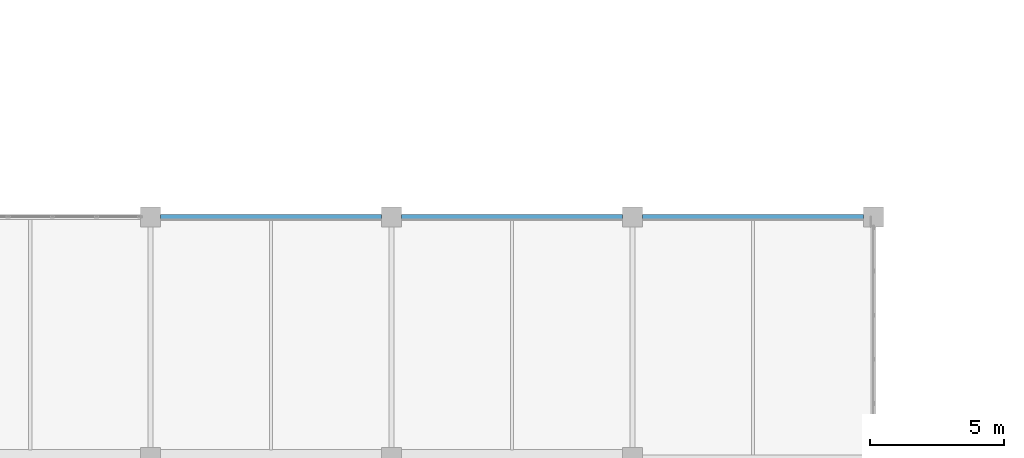
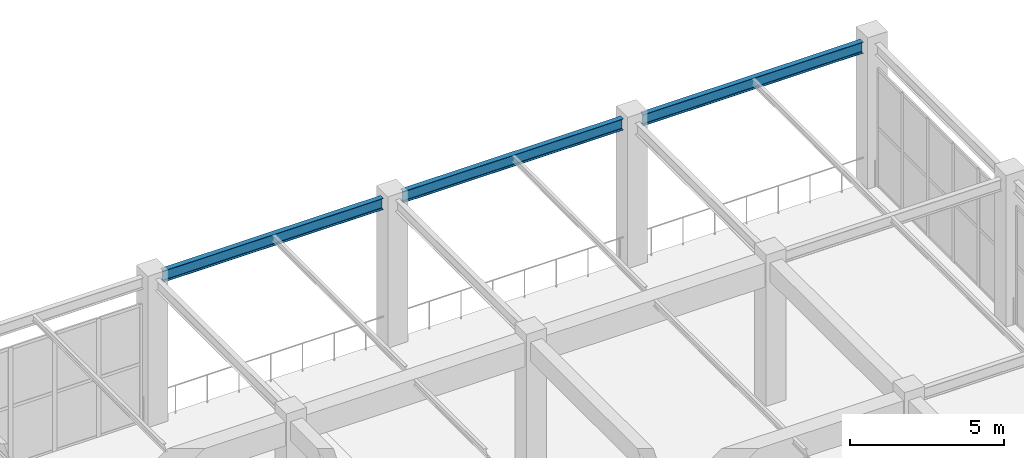
# One storey, part 167 of 223: 3 beams.
"""IFC4 building model written with IfcOpenShell, lengths in metres."""

import ifcopenshell
import ifcopenshell.guid

model = None  # the IFC model being written
_history = None  # IfcOwnerHistory: only IFC2X3 demands one
_inside = {}  # id of a spatial element -> (the spatial element, [elements in it])
_under = {}  # id of a project, library or spatial element -> (it, [spatial elements below it])
_declared = {}  # id of a project -> (the project, [libraries it declares])
_typed = {}  # id of a type object -> (the type object, [elements of that type])
_made_of = {}  # id of a material, layer set ... -> (it, [elements and type objects made of it])


def new_model(schema):
    """Start an empty IFC model of exactly this schema.

    Asked for "IFC4X3", IfcOpenShell would pick the latest addendum, in which some entities
    have other attributes; the version numbers below select the first issue.
    IFC2X3 requires an IfcOwnerHistory on every rooted entity: one is made here for all.
    """
    global model, _history
    if schema == "IFC4X3":
        model = ifcopenshell.file(schema_version=(4, 3, 0, 0))
    else:
        model = ifcopenshell.file(schema=schema)
    _inside.clear()
    _under.clear()
    _declared.clear()
    _typed.clear()
    _made_of.clear()
    _history = None
    if model.schema == "IFC2X3":
        org = make("IfcOrganization", Name="unknown")
        user = make(
            "IfcPersonAndOrganization",
            ThePerson=make("IfcPerson", FamilyName="unknown"),
            TheOrganization=org,
        )
        app = make(
            "IfcApplication",
            ApplicationDeveloper=org,
            Version="unknown",
            ApplicationFullName="unknown",
            ApplicationIdentifier="unknown",
        )
        _history = make(
            "IfcOwnerHistory",
            OwningUser=user,
            OwningApplication=app,
            ChangeAction="ADDED",
            CreationDate=0,
        )
    return model


def make(cls, **values):
    """One entity of the class cls with the attributes given. An attribute that is None is left unset."""
    return model.create_entity(
        cls, **{name: value for name, value in values.items() if value is not None}
    )


def rooted(cls, **values):
    """An entity with a GlobalId (a new one), such as an element, a storey or a relation."""
    return make(cls, GlobalId=ifcopenshell.guid.new(), OwnerHistory=_history, **values)


def si_unit(unit_type, name, prefix=None):
    """IfcSIUnit, for example si_unit("LENGTHUNIT", "METRE", prefix="MILLI")."""
    return make("IfcSIUnit", UnitType=unit_type, Prefix=prefix, Name=name)


def assignment(units):
    """IfcUnitAssignment: the units of a project."""
    return None if units is None else make("IfcUnitAssignment", Units=units)


def point(xyz):
    """IfcCartesianPoint."""
    return None if xyz is None else make("IfcCartesianPoint", Coordinates=xyz)


def direction(xyz):
    """IfcDirection."""
    return None if xyz is None else make("IfcDirection", DirectionRatios=xyz)


def frame(location, z_axis=None, x_axis=None):
    """IfcAxis2Placement3D, a coordinate frame: its origin and axes. An axis left out is left unset."""
    return make(
        "IfcAxis2Placement3D",
        Location=point(location),
        Axis=direction(z_axis),
        RefDirection=direction(x_axis),
    )


def frame_2d(location, x_axis=None):
    """IfcAxis2Placement2D, a coordinate frame in the plane: its origin and x axis."""
    return make(
        "IfcAxis2Placement2D", Location=point(location), RefDirection=direction(x_axis)
    )


def origin():
    """The frame at (0, 0, 0) with its axes left unset."""
    return frame((0.0, 0.0, 0.0))


def origin_2d():
    """The frame at (0, 0) in the plane with its x axis left unset."""
    return frame_2d((0.0, 0.0))


def place(relative_to, where):
    """IfcLocalPlacement: puts the frame where relative to a parent placement (None: the world)."""
    return make(
        "IfcLocalPlacement", PlacementRelTo=relative_to, RelativePlacement=where
    )


def context(
    kind, dimensions, precision=None, world=None, true_north=None, identifier=None
):
    """IfcGeometricRepresentationContext, for example the 3D "Model" context."""
    return make(
        "IfcGeometricRepresentationContext",
        ContextIdentifier=identifier,
        ContextType=kind,
        CoordinateSpaceDimension=dimensions,
        Precision=precision,
        WorldCoordinateSystem=world,
        TrueNorth=true_north,
    )


def subcontext(parent, identifier, kind, view, scale=None):
    """IfcGeometricRepresentationSubContext, for example "Body" below "Model"."""
    return make(
        "IfcGeometricRepresentationSubContext",
        ContextIdentifier=identifier,
        ContextType=kind,
        ParentContext=parent,
        TargetScale=scale,
        TargetView=view,
    )


def project(units=None, contexts=None):
    """IfcProject with its units and contexts."""
    return rooted(
        "IfcProject",
        Name="project",
        RepresentationContexts=contexts,
        UnitsInContext=assignment(units),
    )


def spatial(cls, under=None, at=None, **own):
    """A site, building, storey or space (cls), placed at a placement, below another one or the project."""
    s = rooted(cls, ObjectPlacement=at, **own)
    if under is not None:
        _under.setdefault(under.id(), (under, []))[1].append(s)
    return s


def profile(cls, at=None, kind="AREA", **sizes):
    """A parametric profile (cls). Its sizes go by their IFC names, for example OverallWidth=200.0."""
    return make(cls, ProfileType=kind, Position=at, **sizes)


def i_section(**sizes):
    """IfcIShapeProfileDef."""
    return profile("IfcIShapeProfileDef", **sizes)


def extrude(swept, where, along, depth):
    """IfcExtrudedAreaSolid: the profile swept, set in the frame where, extruded along a direction by depth."""
    return make(
        "IfcExtrudedAreaSolid",
        SweptArea=swept,
        Position=where,
        ExtrudedDirection=direction(along),
        Depth=depth,
    )


def shape(context_of_items, identifier, shape_type, items):
    """IfcShapeRepresentation: the items that make up one representation, for example the "Body"."""
    return make(
        "IfcShapeRepresentation",
        ContextOfItems=context_of_items,
        RepresentationIdentifier=identifier,
        RepresentationType=shape_type,
        Items=items,
    )


def material(Name=None, Category=None):
    """IfcMaterial."""
    return make("IfcMaterial", Name=Name, Category=Category)


def material_profile(
    of_material, cross_section, Name=None, Category=None, Priority=None
):
    """IfcMaterialProfile: a cross section and its material."""
    return make(
        "IfcMaterialProfile",
        Name=Name,
        Material=of_material,
        Profile=cross_section,
        Priority=Priority,
        Category=Category,
    )


def profile_set(profiles, Name=None, composite=None):
    """IfcMaterialProfileSet."""
    return make(
        "IfcMaterialProfileSet",
        Name=Name,
        MaterialProfiles=profiles,
        CompositeProfile=composite,
    )


def made_of(thing, what):
    """Note that an element or type object is made of a material, layer set ...; save() writes the relation."""
    if what is not None:
        _made_of.setdefault(what.id(), (what, []))[1].append(thing)
    return thing


def type_object(cls, material=None, **own):
    """A type object (cls), such as IfcWallType, which elements share."""
    return made_of(rooted(cls, **own), material)


def element(
    cls,
    number,
    at=None,
    inside=None,
    cuts=None,
    type_object=None,
    material=None,
    context=None,
    identifier="Body",
    shape_type=None,
    held_by="IfcProductDefinitionShape",
    body=None,
    shapes=None,
    **own,
):
    """One element of the class cls, such as IfcWall. Its Tag is "e" and its number.

    at: its placement. inside: the storey or other place that contains it. cuts: it is an
    opening in that element (IfcRelVoidsElement). A single representation is given by context,
    identifier, shape_type and body (its items); several are given by shapes. held_by: the class
    of the entity that holds the representations. save() writes the other relations.
    """
    e = rooted(cls, Tag="e%d" % number, ObjectPlacement=at, **own)
    if body is not None:
        shapes = [shape(context, identifier, shape_type, body)]
    if shapes is not None:
        e.Representation = make(held_by, Representations=shapes)
    if inside is not None:
        _inside.setdefault(inside.id(), (inside, []))[1].append(e)
    if cuts is not None:
        rooted(
            "IfcRelVoidsElement", RelatingBuildingElement=cuts, RelatedOpeningElement=e
        )
    if type_object is not None:
        _typed.setdefault(type_object.id(), (type_object, []))[1].append(e)
    return made_of(e, material)


def aggregate(whole, parts):
    """IfcRelAggregates: a whole, such as a stair, and the parts it consists of."""
    return rooted("IfcRelAggregates", RelatingObject=whole, RelatedObjects=parts)


def save(model, path):
    """Write the relations noted so far, then the file.

    IfcRelAggregates (storeys below a building ...), IfcRelContainedInSpatialStructure (elements
    in a storey), IfcRelDefinesByType, IfcRelAssociatesMaterial and IfcRelDeclares: one each for
    every whole, place, type object, material and project.
    """
    for whole, parts in _under.values():
        aggregate(whole, parts)
    for where, things in _inside.values():
        rooted(
            "IfcRelContainedInSpatialStructure",
            RelatedElements=things,
            RelatingStructure=where,
        )
    for kind, things in _typed.values():
        rooted("IfcRelDefinesByType", RelatedObjects=things, RelatingType=kind)
    for what, things in _made_of.values():
        rooted("IfcRelAssociatesMaterial", RelatedObjects=things, RelatingMaterial=what)
    for by, libraries in _declared.values():
        rooted("IfcRelDeclares", RelatingContext=by, RelatedDefinitions=libraries)
    model.write(path)


model = new_model("IFC4")

# Units and contexts
model_context = context("Model", 3, precision=1e-05, world=origin(), true_north=direction((0.0, 1.0)))
body_context = subcontext(model_context, "Body", "Model", "MODEL_VIEW")
ifc_project = project(units=[si_unit("LENGTHUNIT", "METRE"), si_unit("AREAUNIT", "SQUARE_METRE"), si_unit("VOLUMEUNIT", "CUBIC_METRE"), si_unit("PLANEANGLEUNIT", "RADIAN"), si_unit("MASSUNIT", "GRAM", prefix="KILO")], contexts=[model_context])

# Site, building, storey
site_placement = place(None, origin())
site = spatial("IfcSite", under=ifc_project, at=site_placement, CompositionType="ELEMENT")
building_placement = place(site_placement, origin())
building = spatial("IfcBuilding", under=site, at=building_placement, Name="Dornveld Trade and Exhibition Forum", CompositionType="ELEMENT")
storey_placement = place(building_placement, frame((0.0, 0.0, 6.0)))
storey = spatial("IfcBuildingStorey", under=building, at=storey_placement, Name="L01", CompositionType="ELEMENT", Elevation=6.0)

# Beams
ifc_material = material(Name="Steel S355J2", Category="steel")
ifc_material_profile = material_profile(ifc_material, i_section(OverallWidth=0.18994140625, OverallDepth=0.449951171875, WebThickness=0.009521484375, FlangeThickness=0.0146484375, FilletRadius=0.02099609375, at=origin_2d()), Name="IPE 450")
ifc_profile_set = profile_set([ifc_material_profile], Name="Steel S355J2")
beam_type = type_object("IfcBeamType", Name="BM-SEC-450", PredefinedType="BEAM", material=ifc_profile_set)
for number, where, z_axis, x_axis, name in (
    (1, (189.37109375, 144.0, 5.554931640625), (1.0, 0.0, 0.0), (0.0, 1.0, 0.0), "L01 X-girder 1769"),
    (2, (198.37109375, 144.0, 5.554931640625), (1.0, 0.0, 0.0), (0.0, 1.0, 0.0), "L01 X-girder 1770"),
    (3, (207.37109375, 144.0, 5.452880859375), (1.0, 0.0, 0.0), (0.0, 1.0, 0.0), "L01 X-girder 1771"),
):
    element("IfcBeam", number, at=place(storey_placement, frame(where, z_axis=z_axis, x_axis=x_axis)), inside=storey, type_object=beam_type, Name=name, PredefinedType="BEAM", context=body_context, shape_type="SweptSolid", body=[
        extrude(i_section(OverallWidth=0.18994140625, OverallDepth=0.449951171875, WebThickness=0.009521484375, FlangeThickness=0.0146484375, FilletRadius=0.02099609375, at=origin_2d()), origin(), (0.0, 0.0, 1.0), 8.2578125),
    ])

save(model, "model.ifc")
